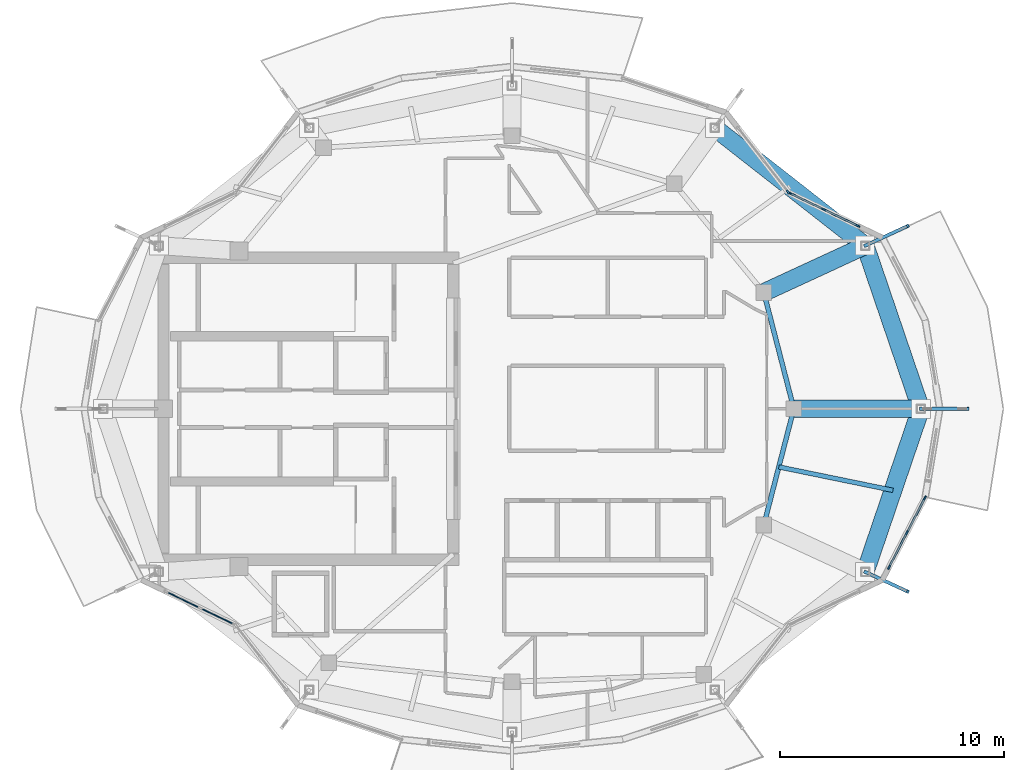
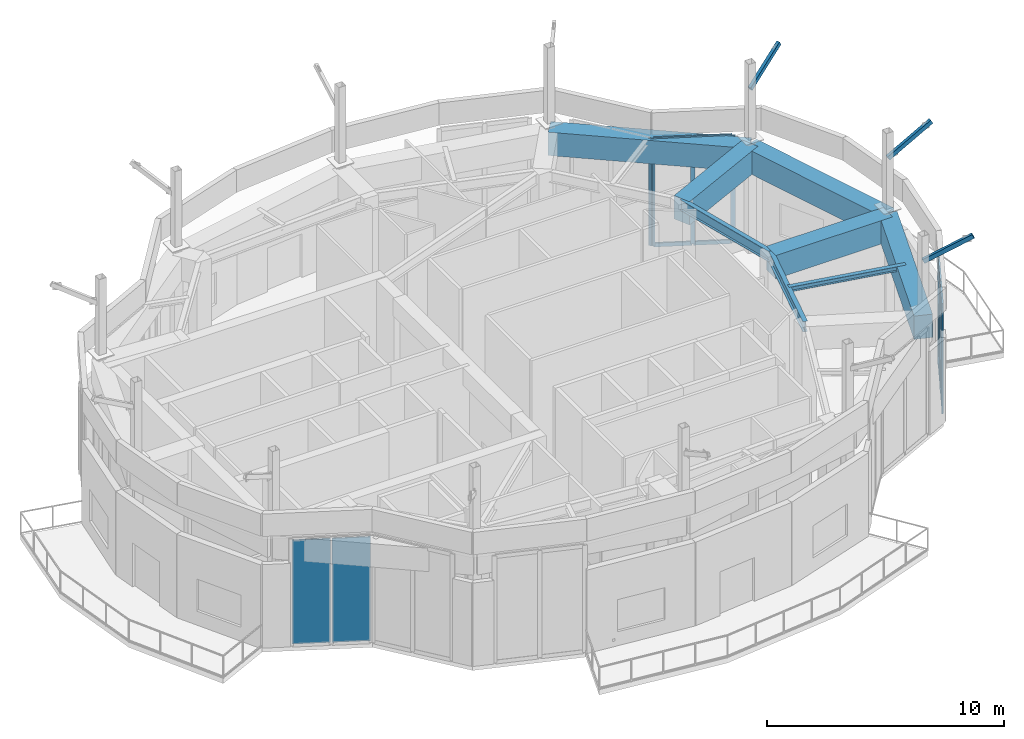
# One storey, part 4 of 13: 18 members, 8 beams, 2 plates, 4 elements without a shape of their own.
"""IFC4 building model written with IfcOpenShell, lengths in metres."""

from ifc_helpers import new_model, si_unit, direction, frame, origin, origin_2d, place, context, subcontext, project, spatial, rectangle, hollow_rectangle, i_section, extrude, material, layer, layer_set, material_profile, profile_set, type_object, element, aggregate, save


model = new_model("IFC4")

# Units and contexts
model_context = context("Model", 3, precision=1e-05, world=origin(), true_north=direction((0.0, 1.0)))
body_context = subcontext(model_context, "Body", "Model", "MODEL_VIEW")
ifc_project = project(units=[si_unit("LENGTHUNIT", "METRE"), si_unit("AREAUNIT", "SQUARE_METRE"), si_unit("VOLUMEUNIT", "CUBIC_METRE"), si_unit("PLANEANGLEUNIT", "RADIAN"), si_unit("MASSUNIT", "GRAM", prefix="KILO")], contexts=[model_context])

# Site, building, storey
site_placement = place(None, origin())
site = spatial("IfcSite", under=ifc_project, at=site_placement, CompositionType="ELEMENT")
building_placement = place(site_placement, origin())
building = spatial("IfcBuilding", under=site, at=building_placement, Name="Kolvaren Gate Tower and Convention Centre", CompositionType="ELEMENT")
storey_placement = place(building_placement, frame((0.0, 0.0, 281.60009765625)))
storey = spatial("IfcBuildingStorey", under=building, at=storey_placement, Name="L76", CompositionType="ELEMENT", Elevation=281.60009765625)

# Members
ifc_material_1 = material(Name="Architectural Painted Steel Canopy Framing ASTM A500 Grade C 345 MPa", Category="steel")
ifc_material_profile_1 = material_profile(ifc_material_1, hollow_rectangle(XDim=0.14990234375, YDim=0.219970703125, WallThickness=0.008056640625, at=origin_2d()), Name="ARCH-MEM-CANOPY-220")
ifc_profile_set_1 = profile_set([ifc_material_profile_1], Name="Architectural Painted Steel Canopy Framing ASTM A500 Grade C 345 MPa")
member_type_1 = type_object("IfcMemberType", Name="ARCH-MEM-CANOPY-220", PredefinedType="BRACE", material=ifc_profile_set_1)
for number, where, z_axis, x_axis, name in (
    (1, (48.39990234375, 27.0, 8.2998046875), (0.874971700299, 0.0, 0.484174063407), (0.0, 1.0, 0.0), "Crown Lookout Canopy Outrigger Strut CN-01"),
    (2, (45.916015625, 34.293701171875, 8.2998046875), (0.794324204289, 0.366900679328, 0.484182765068), (-0.419330931923, 0.907833448124, 0.0), "Crown Lookout Canopy Outrigger Strut CN-02"),
    (3, (45.916015625, 19.706298828125, 8.2998046875), (0.794324204289, -0.366900679328, 0.484182765068), (0.419330931923, 0.907833448124, 0.0), "Crown Lookout Canopy Outrigger Strut CN-12"),
):
    element("IfcMember", number, at=place(storey_placement, frame(where, z_axis=z_axis, x_axis=x_axis)), inside=storey, type_object=member_type_1, Name=name, PredefinedType="BRACE", context=body_context, shape_type="SweptSolid", body=[
        extrude(hollow_rectangle(XDim=0.14990234375, YDim=0.219970703125, WallThickness=0.008056640625, at=origin_2d()), origin(), (0.0, 0.0, 1.0), 2.400146484375),
    ])

# Curtain wall, members
ifc_material_2 = material(Name="Anodized Architectural Aluminium Alloy 6063-T6", Category="aluminium")
ifc_layer_1 = layer(ifc_material_2, 0.199951171875)
ifc_layer_set_1 = layer_set([ifc_layer_1], Name="Anodized Architectural Aluminium Alloy 6063-T6")
curtain_wall_type = type_object("IfcCurtainWallType", Name="CW-SKY-GLZ", PredefinedType="NOTDEFINED", material=ifc_layer_set_1)
curtain_wall_1_placement = place(storey_placement, origin())
curtain_wall_1 = element("IfcCurtainWall", 4, at=curtain_wall_1_placement, inside=storey, type_object=curtain_wall_type, Name="L76 Panoramic Structural Curtain Wall CW-02", PredefinedType="NOTDEFINED")
ifc_material_profile_2 = material_profile(ifc_material_2, rectangle(XDim=0.074951171875, YDim=0.199951171875, at=origin_2d()), Name="CW-MEM-MUL-200")
ifc_profile_set_2 = profile_set([ifc_material_profile_2], Name="Anodized Architectural Aluminium Alloy 6063-T6")
member_type_2 = type_object("IfcMemberType", Name="CW-MEM-MUL-200", PredefinedType="MULLION", material=ifc_profile_set_2)
member_1_placement = place(storey_placement, frame((42.5283203125, 36.6484375, 0.0), z_axis=(0.0, 0.0, 1.0), x_axis=(0.433075709979, 0.90135754805, 0.0)))
member_1 = element("IfcMember", 5, at=member_1_placement, type_object=member_type_2, Name="CW-05 mullion 1", PredefinedType="MULLION", context=body_context, shape_type="SweptSolid", body=[
    extrude(rectangle(XDim=0.074951171875, YDim=0.199951171875, at=origin_2d()), origin(), (0.0, 0.0, 1.0), 5.5),
])
member_2_placement = place(storey_placement, frame((44.05859375, 35.9130859375, 0.0), z_axis=(0.0, 0.0, 1.0), x_axis=(0.433075709979, 0.90135754805, 0.0)))
member_2 = element("IfcMember", 6, at=member_2_placement, type_object=member_type_2, Name="CW-05 mullion 2", PredefinedType="MULLION", context=body_context, shape_type="SweptSolid", body=[
    extrude(rectangle(XDim=0.074951171875, YDim=0.199951171875, at=origin_2d()), origin(), (0.0, 0.0, 1.0), 5.5),
])
member_3_placement = place(storey_placement, frame((45.589111328125, 35.177734375, 0.0), z_axis=(0.0, 0.0, 1.0), x_axis=(0.433075709979, 0.90135754805, 0.0)))
member_3 = element("IfcMember", 7, at=member_3_placement, type_object=member_type_2, Name="CW-05 mullion 3", PredefinedType="MULLION", context=body_context, shape_type="SweptSolid", body=[
    extrude(rectangle(XDim=0.074951171875, YDim=0.199951171875, at=origin_2d()), origin(), (0.0, 0.0, 1.0), 5.5),
])

# Curtain wall, member
curtain_wall_2_placement = place(storey_placement, origin())
curtain_wall_2 = element("IfcCurtainWall", 8, at=curtain_wall_2_placement, inside=storey, type_object=curtain_wall_type, Name="L76 Panoramic Structural Curtain Wall CW-03", PredefinedType="NOTDEFINED")
member_4_placement = place(storey_placement, frame((42.47119140625, 36.6943359375, 0.0), z_axis=(0.0, 0.0, 1.0), x_axis=(0.787412607866, 0.616426301332, 0.0)))
member_4 = element("IfcMember", 9, at=member_4_placement, type_object=member_type_2, Name="CW-05 mullion 3", PredefinedType="MULLION", context=body_context, shape_type="SweptSolid", body=[
    extrude(rectangle(XDim=0.074951171875, YDim=0.199951171875, at=origin_2d()), origin(), (0.0, 0.0, 1.0), 5.5),
])
aggregate(curtain_wall_2, [member_4])

# Curtain wall, members
curtain_wall_3_placement = place(storey_placement, origin())
curtain_wall_3 = element("IfcCurtainWall", 10, at=curtain_wall_3_placement, inside=storey, type_object=curtain_wall_type, Name="L76 Panoramic Structural Curtain Wall CW-22", PredefinedType="NOTDEFINED")
member_5_placement = place(storey_placement, frame((46.981689453125, 19.91796875, 0.0), z_axis=(0.0, 0.0, 1.0), x_axis=(-0.888028677091, 0.459788069293, 0.0)))
member_5 = element("IfcMember", 11, at=member_5_placement, type_object=member_type_2, Name="CW-05 mullion 1", PredefinedType="MULLION", context=body_context, shape_type="SweptSolid", body=[
    extrude(rectangle(XDim=0.074951171875, YDim=0.199951171875, at=origin_2d()), origin(), (0.0, 0.0, 1.0), 5.5),
])
member_6_placement = place(storey_placement, frame((47.781494140625, 21.46240234375, 0.0), z_axis=(0.0, 0.0, 1.0), x_axis=(-0.888028677091, 0.459788069293, 0.0)))
member_6 = element("IfcMember", 12, at=member_6_placement, type_object=member_type_2, Name="CW-05 mullion 2", PredefinedType="MULLION", context=body_context, shape_type="SweptSolid", body=[
    extrude(rectangle(XDim=0.074951171875, YDim=0.199951171875, at=origin_2d()), origin(), (0.0, 0.0, 1.0), 5.5),
])
member_7_placement = place(storey_placement, frame((48.5810546875, 23.0068359375, 0.0), z_axis=(0.0, 0.0, 1.0), x_axis=(-0.888028677091, 0.459788069293, 0.0)))
member_7 = element("IfcMember", 13, at=member_7_placement, type_object=member_type_2, Name="CW-05 mullion 3", PredefinedType="MULLION", context=body_context, shape_type="SweptSolid", body=[
    extrude(rectangle(XDim=0.074951171875, YDim=0.199951171875, at=origin_2d()), origin(), (0.0, 0.0, 1.0), 5.5),
])

# Member
ifc_material_profile_3 = material_profile(ifc_material_2, rectangle(XDim=0.074951171875, YDim=0.199951171875, at=origin_2d()), Name="CW-MEM-TRN-200")
ifc_profile_set_3 = profile_set([ifc_material_profile_3], Name="Anodized Architectural Aluminium Alloy 6063-T6")
member_type_3 = type_object("IfcMemberType", Name="CW-MEM-TRN-200", PredefinedType="USERDEFINED", material=ifc_profile_set_3)
member_8_placement = place(storey_placement, frame((42.56201171875, 36.63232421875, 0.037353515625), z_axis=(0.901356328078, -0.433078249088, 0.0), x_axis=(0.433078249088, 0.901356328078, 0.0)))
member_8 = element("IfcMember", 14, at=member_8_placement, type_object=member_type_3, Name="CW-05 transom 1.1", ObjectType="TRANSOM", PredefinedType="USERDEFINED", context=body_context, shape_type="SweptSolid", body=[
    extrude(rectangle(XDim=0.074951171875, YDim=0.199951171875, at=origin_2d()), origin(), (0.0, 0.0, 1.0), 1.623046875),
])

member_9_placement = place(storey_placement, frame((42.56201171875, 36.63232421875, 5.46240234375), z_axis=(0.901356328078, -0.433078249088, 0.0), x_axis=(0.433078249088, 0.901356328078, 0.0)))
member_9 = element("IfcMember", 15, at=member_9_placement, type_object=member_type_3, Name="CW-05 transom 1.2", ObjectType="TRANSOM", PredefinedType="USERDEFINED", context=body_context, shape_type="SweptSolid", body=[
    extrude(rectangle(XDim=0.074951171875, YDim=0.199951171875, at=origin_2d()), origin(), (0.0, 0.0, 1.0), 1.623046875),
])

member_10_placement = place(storey_placement, frame((44.092529296875, 35.89697265625, 0.037353515625), z_axis=(0.901356328078, -0.433078249088, 0.0), x_axis=(0.433078249088, 0.901356328078, 0.0)))
member_10 = element("IfcMember", 16, at=member_10_placement, type_object=member_type_3, Name="CW-05 transom 2.1", ObjectType="TRANSOM", PredefinedType="USERDEFINED", context=body_context, shape_type="SweptSolid", body=[
    extrude(rectangle(XDim=0.074951171875, YDim=0.199951171875, at=origin_2d()), origin(), (0.0, 0.0, 1.0), 1.623046875),
])

member_11_placement = place(storey_placement, frame((44.092529296875, 35.89697265625, 5.46240234375), z_axis=(0.901356328078, -0.433078249088, 0.0), x_axis=(0.433078249088, 0.901356328078, 0.0)))
member_11 = element("IfcMember", 17, at=member_11_placement, type_object=member_type_3, Name="CW-05 transom 2.2", ObjectType="TRANSOM", PredefinedType="USERDEFINED", context=body_context, shape_type="SweptSolid", body=[
    extrude(rectangle(XDim=0.074951171875, YDim=0.199951171875, at=origin_2d()), origin(), (0.0, 0.0, 1.0), 1.623046875),
])

aggregate(curtain_wall_1, [member_1, member_2, member_3, member_8, member_9, member_10, member_11])

member_12_placement = place(storey_placement, frame((46.9990234375, 19.951171875, 0.037353515625), z_axis=(0.459786074752, 0.888029709787, 0.0), x_axis=(-0.888029709787, 0.459786074752, 0.0)))
member_12 = element("IfcMember", 18, at=member_12_placement, type_object=member_type_3, Name="CW-05 transom 1.1", ObjectType="TRANSOM", PredefinedType="USERDEFINED", context=body_context, shape_type="SweptSolid", body=[
    extrude(rectangle(XDim=0.074951171875, YDim=0.199951171875, at=origin_2d()), origin(), (0.0, 0.0, 1.0), 1.6640625),
])

member_13_placement = place(storey_placement, frame((46.9990234375, 19.951171875, 5.46240234375), z_axis=(0.459786074752, 0.888029709787, 0.0), x_axis=(-0.888029709787, 0.459786074752, 0.0)))
member_13 = element("IfcMember", 19, at=member_13_placement, type_object=member_type_3, Name="CW-05 transom 1.2", ObjectType="TRANSOM", PredefinedType="USERDEFINED", context=body_context, shape_type="SweptSolid", body=[
    extrude(rectangle(XDim=0.074951171875, YDim=0.199951171875, at=origin_2d()), origin(), (0.0, 0.0, 1.0), 1.6640625),
])

member_14_placement = place(storey_placement, frame((47.798583984375, 21.49560546875, 0.037353515625), z_axis=(0.459786074752, 0.888029709787, 0.0), x_axis=(-0.888029709787, 0.459786074752, 0.0)))
member_14 = element("IfcMember", 20, at=member_14_placement, type_object=member_type_3, Name="CW-05 transom 2.1", ObjectType="TRANSOM", PredefinedType="USERDEFINED", context=body_context, shape_type="SweptSolid", body=[
    extrude(rectangle(XDim=0.074951171875, YDim=0.199951171875, at=origin_2d()), origin(), (0.0, 0.0, 1.0), 1.6640625),
])

member_15_placement = place(storey_placement, frame((47.798583984375, 21.49560546875, 5.46240234375), z_axis=(0.459786074752, 0.888029709787, 0.0), x_axis=(-0.888029709787, 0.459786074752, 0.0)))
member_15 = element("IfcMember", 21, at=member_15_placement, type_object=member_type_3, Name="CW-05 transom 2.2", ObjectType="TRANSOM", PredefinedType="USERDEFINED", context=body_context, shape_type="SweptSolid", body=[
    extrude(rectangle(XDim=0.074951171875, YDim=0.199951171875, at=origin_2d()), origin(), (0.0, 0.0, 1.0), 1.6640625),
])

aggregate(curtain_wall_3, [member_5, member_6, member_7, member_12, member_13, member_14, member_15])

# Beams
ifc_material_3 = material(Name="Structural steel ASTM A992 Grade 345 MPa", Category="steel")
ifc_material_profile_4 = material_profile(ifc_material_3, i_section(OverallWidth=0.2119140625, OverallDepth=0.5439453125, WebThickness=0.01318359375, FlangeThickness=0.021240234375, at=origin_2d()), Name="W530X123")
ifc_profile_set_4 = profile_set([ifc_material_profile_4], Name="Structural steel ASTM A992 Grade 345 MPa")
beam_type_1 = type_object("IfcBeamType", Name="STR-BM-W530X123", PredefinedType="BEAM", material=ifc_profile_set_4)
for number, where, z_axis, x_axis, name in (
    (22, (42.72509765625, 27.0, 5.227783203125), (-0.250091133936, -0.968222301296, 0.0), (0.968222301296, -0.250091133936, 0.0), "Tower L76 Primary Ring Girder G-01"),
    (23, (42.72509765625, 27.0, 5.227783203125), (-0.250091133936, 0.968222301296, 0.0), (-0.968222301296, -0.250091133936, 0.0), "Tower L76 Primary Ring Girder G-12"),
):
    element("IfcBeam", number, at=place(storey_placement, frame(where, z_axis=z_axis, x_axis=x_axis)), inside=storey, type_object=beam_type_1, Name=name, PredefinedType="BEAM", context=body_context, shape_type="SweptSolid", body=[
        extrude(i_section(OverallWidth=0.2119140625, OverallDepth=0.5439453125, WebThickness=0.01318359375, FlangeThickness=0.021240234375, at=origin_2d()), origin(), (0.0, 0.0, 1.0), 5.3701171875),
    ])
ifc_material_profile_5 = material_profile(ifc_material_3, i_section(OverallWidth=0.202880859375, OverallDepth=0.251953125, WebThickness=0.008056640625, FlangeThickness=0.013427734375, at=origin_2d()), Name="W250X58")
ifc_profile_set_5 = profile_set([ifc_material_profile_5], Name="Structural steel ASTM A992 Grade 345 MPa")
beam_type_2 = type_object("IfcBeamType", Name="STR-JS-W250X58", PredefinedType="JOIST", material=ifc_profile_set_5)
beam_1_placement = place(storey_placement, frame((42.0537109375, 24.400146484375, 5.3740234375), z_axis=(0.979608376125, -0.200916473756, 0.0), x_axis=(0.200916473756, 0.979608376125, 0.0)))
element("IfcBeam", 24, at=beam_1_placement, inside=storey, type_object=beam_type_2, Name="Tower L76 Secondary Composite Floor Joist J-12.1", PredefinedType="JOIST", context=body_context, shape_type="SweptSolid", body=[
    extrude(i_section(OverallWidth=0.202880859375, OverallDepth=0.251953125, WebThickness=0.008056640625, FlangeThickness=0.013427734375, at=origin_2d()), origin(), (0.0, 0.0, 1.0), 5.21044921875),
])
ifc_material_4 = material(Name="Concrete C70/85", Category="concrete")
ifc_material_profile_6 = material_profile(ifc_material_4, rectangle(XDim=0.800048828125, YDim=1.199951171875, at=origin_2d()), Name="RC-BM-800X1200")
ifc_profile_set_6 = profile_set([ifc_material_profile_6], Name="Concrete C70/85")
beam_type_3 = type_object("IfcBeamType", Name="STR-TG-RC800X1200", PredefinedType="USERDEFINED", material=ifc_profile_set_6)
beam_2_placement = place(storey_placement, frame((48.39990234375, 27.0, 4.89990234375), z_axis=(-0.322371334633, 0.946613290952, 0.0), x_axis=(-0.946613290952, -0.322371334633, 0.0)))
element("IfcBeam", 25, at=beam_2_placement, inside=storey, type_object=beam_type_3, Name="Tower L76 Perimeter Spandrel Beam SP-01", ObjectType="TRANSFER GIRDER", PredefinedType="USERDEFINED", context=body_context, shape_type="SweptSolid", body=[
    extrude(rectangle(XDim=0.800048828125, YDim=1.199951171875, at=origin_2d()), origin(), (0.0, 0.0, 1.0), 7.705078125),
])
beam_3_placement = place(storey_placement, frame((45.916015625, 34.293701171875, 4.89990234375), z_axis=(-0.787311981436, 0.616554818233, 0.0), x_axis=(-0.616554818233, -0.787311981436, 0.0)))
element("IfcBeam", 26, at=beam_3_placement, inside=storey, type_object=beam_type_3, Name="Tower L76 Perimeter Spandrel Beam SP-02", ObjectType="TRANSFER GIRDER", PredefinedType="USERDEFINED", context=body_context, shape_type="SweptSolid", body=[
    extrude(rectangle(XDim=0.800048828125, YDim=1.199951171875, at=origin_2d()), origin(), (0.0, 0.0, 1.0), 8.542724609375),
])
beam_4_placement = place(storey_placement, frame((45.916015625, 19.706298828125, 4.89990234375), z_axis=(0.322371334633, 0.946613290952, 0.0), x_axis=(-0.946613290952, 0.322371334633, 0.0)))
element("IfcBeam", 27, at=beam_4_placement, inside=storey, type_object=beam_type_3, Name="Tower L76 Perimeter Spandrel Beam SP-12", ObjectType="TRANSFER GIRDER", PredefinedType="USERDEFINED", context=body_context, shape_type="SweptSolid", body=[
    extrude(rectangle(XDim=0.800048828125, YDim=1.199951171875, at=origin_2d()), origin(), (0.0, 0.0, 1.0), 7.705078125),
])
beam_5_placement = place(storey_placement, frame((42.72509765625, 27.0, 4.900390625), z_axis=(1.0, 0.0, 0.0), x_axis=(0.0, 1.0, 0.0)))
element("IfcBeam", 28, at=beam_5_placement, inside=storey, type_object=beam_type_3, Name="Tower L76 Zone-Transition Radial Transfer Girder XFG-01", ObjectType="TRANSFER GIRDER", PredefinedType="USERDEFINED", context=body_context, shape_type="SweptSolid", body=[
    extrude(rectangle(XDim=0.800048828125, YDim=1.199951171875, at=origin_2d()), origin(), (0.0, 0.0, 1.0), 5.6748046875),
])
beam_6_placement = place(storey_placement, frame((41.382080078125, 32.199462890625, 4.900390625), z_axis=(0.907833436209, 0.419330957719, 0.0), x_axis=(-0.419330957719, 0.907833436209, 0.0)))
element("IfcBeam", 29, at=beam_6_placement, inside=storey, type_object=beam_type_3, Name="Tower L76 Zone-Transition Radial Transfer Girder XFG-02", ObjectType="TRANSFER GIRDER", PredefinedType="USERDEFINED", context=body_context, shape_type="SweptSolid", body=[
    extrude(rectangle(XDim=0.800048828125, YDim=1.199951171875, at=origin_2d()), origin(), (0.0, 0.0, 1.0), 4.994140625),
])

# Curtain wall, plates
curtain_wall_4_placement = place(storey_placement, origin())
curtain_wall_4 = element("IfcCurtainWall", 30, at=curtain_wall_4_placement, inside=storey, type_object=curtain_wall_type, Name="L76 Panoramic Structural Curtain Wall CW-14", PredefinedType="NOTDEFINED")
ifc_material_5 = material(Name="Low-E Triple Insulated Glazing Unit 44 mm", Category="glass")
ifc_layer_2 = layer(ifc_material_5, 0.0439453125)
ifc_layer_set_2 = layer_set([ifc_layer_2], Name="Low-E Triple Insulated Glazing Unit 44 mm")
plate_type = type_object("IfcPlateType", Name="CW-PL-IGU-44", PredefinedType="CURTAIN_PANEL", material=ifc_layer_set_2)
plate_1_placement = place(storey_placement, frame((15.42578125, 18.45458984375, 0.074951171875), z_axis=(0.0, 0.0, 1.0), x_axis=(0.901368354197, -0.433053218498, 0.0)))
plate_1 = element("IfcPlate", 31, at=plate_1_placement, type_object=plate_type, Name="CW-05 panel 1.1", PredefinedType="CURTAIN_PANEL", context=body_context, shape_type="SweptSolid", body=[
    extrude(rectangle(XDim=1.623046875, YDim=0.0439453125, at=origin_2d()), origin(), (0.0, 0.0, 1.0), 5.35009765625),
])
plate_2_placement = place(storey_placement, frame((16.95654296875, 17.71923828125, 0.074951171875), z_axis=(0.0, 0.0, 1.0), x_axis=(0.901368354197, -0.433053218498, 0.0)))
plate_2 = element("IfcPlate", 32, at=plate_2_placement, type_object=plate_type, Name="CW-05 panel 2.1", PredefinedType="CURTAIN_PANEL", context=body_context, shape_type="SweptSolid", body=[
    extrude(rectangle(XDim=1.623046875, YDim=0.0439453125, at=origin_2d()), origin(), (0.0, 0.0, 1.0), 5.35009765625),
])
aggregate(curtain_wall_4, [plate_1, plate_2])

save(model, "model.ifc")
